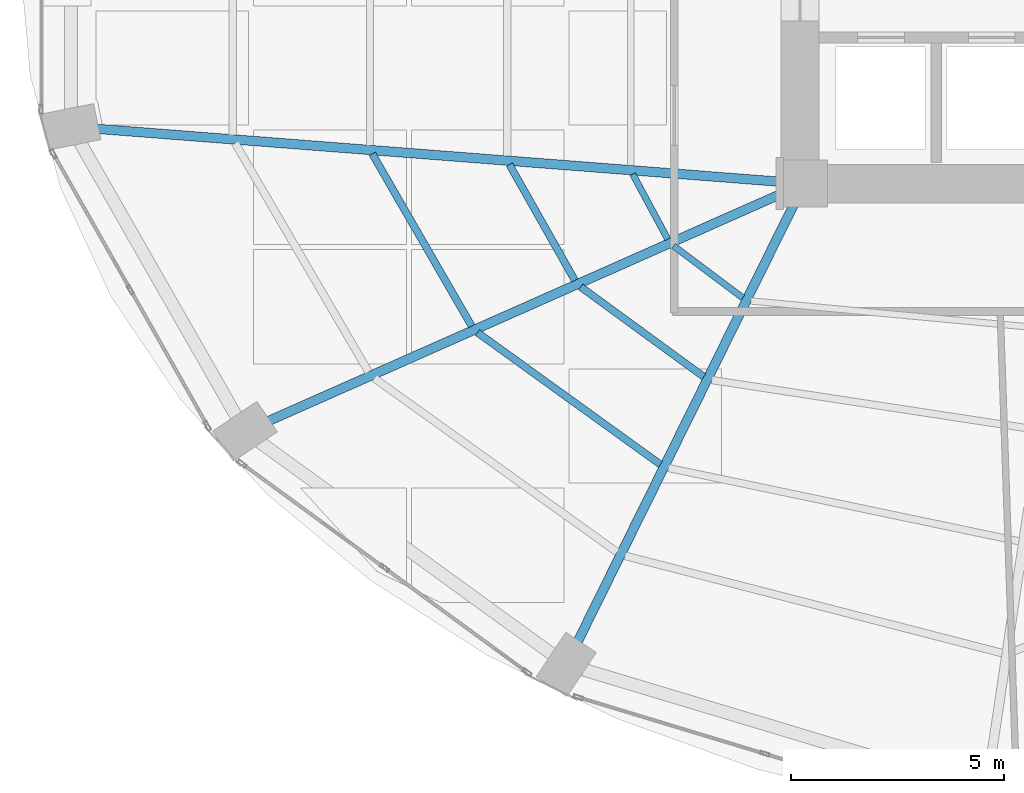
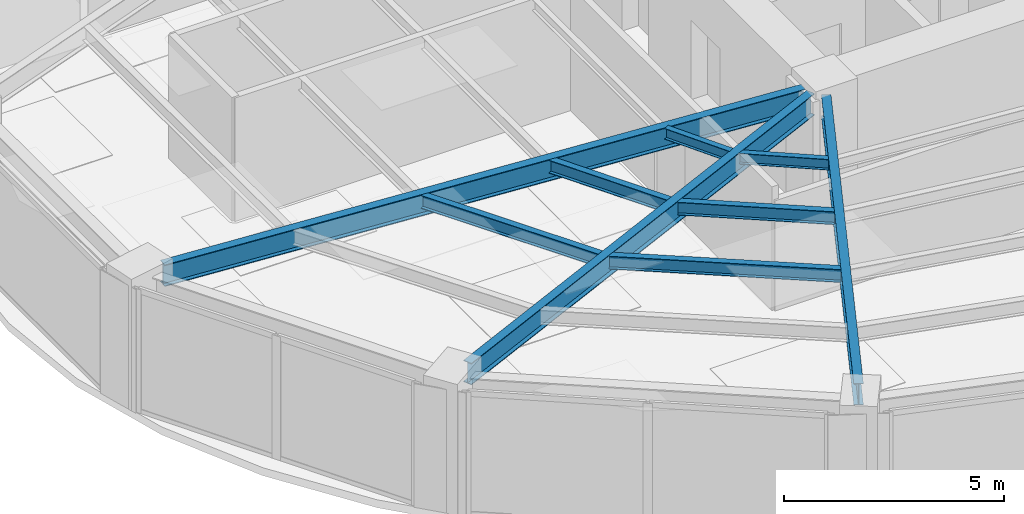
# One storey, part 4 of 25: 9 beams.
"""IFC4 building model written with IfcOpenShell, lengths in metres."""

from ifc_helpers import new_model, si_unit, direction, frame, origin, origin_2d, place, context, subcontext, project, spatial, i_section, extrude, material, material_profile, profile_set, type_object, element, save


model = new_model("IFC4")

# Units and contexts
model_context = context("Model", 3, precision=1e-05, world=origin(), true_north=direction((0.0, 1.0)))
body_context = subcontext(model_context, "Body", "Model", "MODEL_VIEW")
ifc_project = project(units=[si_unit("LENGTHUNIT", "METRE"), si_unit("AREAUNIT", "SQUARE_METRE"), si_unit("VOLUMEUNIT", "CUBIC_METRE"), si_unit("PLANEANGLEUNIT", "RADIAN"), si_unit("MASSUNIT", "GRAM", prefix="KILO")], contexts=[model_context])

# Site, building, storey
site_placement = place(None, origin())
site = spatial("IfcSite", under=ifc_project, at=site_placement, CompositionType="ELEMENT")
building_placement = place(site_placement, origin())
building = spatial("IfcBuilding", under=site, at=building_placement, Name="Lazwardi Medical Tower", CompositionType="ELEMENT")
storey_placement = place(building_placement, frame((0.0, 0.0, 47.087890625)))
storey = spatial("IfcBuildingStorey", under=building, at=storey_placement, Name="L11", CompositionType="ELEMENT", Elevation=47.087890625)

# Beams
ifc_material = material(Name="Steel S355", Category="steel")
ifc_material_profile_1 = material_profile(ifc_material, i_section(OverallWidth=0.219970703125, OverallDepth=0.60009765625, WebThickness=0.011962890625, FlangeThickness=0.01904296875, at=origin_2d()), Name="IPE 600")
ifc_profile_set_1 = profile_set([ifc_material_profile_1], Name="Steel S355")
beam_type_1 = type_object("IfcBeamType", Name="BM-RG-W1", PredefinedType="BEAM", material=ifc_profile_set_1)
beam_1_placement = place(storey_placement, frame((9.7783203125, 21.6875, 3.128173828125), z_axis=(0.997013942066, -0.077221754231, 0.0), x_axis=(0.077221754231, 0.997013942066, 0.0)))
element("IfcBeam", 1, at=beam_1_placement, inside=storey, type_object=beam_type_1, Name="Radial girder RG-02 R13 L11", PredefinedType="BEAM", context=body_context, shape_type="SweptSolid", body=[
    extrude(i_section(OverallWidth=0.219970703125, OverallDepth=0.60009765625, WebThickness=0.011962890625, FlangeThickness=0.01904296875, at=origin_2d()), origin(), (0.0, 0.0, 1.0), 16.136474609375),
])
beam_2_placement = place(storey_placement, frame((13.810302734375, 14.82080078125, 3.128173828125), z_axis=(0.914252189566, 0.405145571214, 0.0), x_axis=(-0.405145571214, 0.914252189566, 0.0)))
element("IfcBeam", 2, at=beam_2_placement, inside=storey, type_object=beam_type_1, Name="Radial girder RG-02 R14 L11", PredefinedType="BEAM", context=body_context, shape_type="SweptSolid", body=[
    extrude(i_section(OverallWidth=0.219970703125, OverallDepth=0.60009765625, WebThickness=0.011962890625, FlangeThickness=0.01904296875, at=origin_2d()), origin(), (0.0, 0.0, 1.0), 13.235595703125),
])
beam_3_placement = place(storey_placement, frame((21.076171875, 9.635986328125, 3.128173828125), z_axis=(0.443336723706, 0.896355146922, 0.0), x_axis=(-0.896355146922, 0.443336723706, 0.0)))
element("IfcBeam", 3, at=beam_3_placement, inside=storey, type_object=beam_type_1, Name="Radial girder RG-02 R15 L11", PredefinedType="BEAM", context=body_context, shape_type="SweptSolid", body=[
    extrude(i_section(OverallWidth=0.219970703125, OverallDepth=0.60009765625, WebThickness=0.011962890625, FlangeThickness=0.01904296875, at=origin_2d()), origin(), (0.0, 0.0, 1.0), 11.4736328125),
])
ifc_material_profile_2 = material_profile(ifc_material, i_section(OverallWidth=0.169921875, OverallDepth=0.360107421875, WebThickness=0.008056640625, FlangeThickness=0.0126953125, at=origin_2d()), Name="IPE 360")
ifc_profile_set_2 = profile_set([ifc_material_profile_2], Name="Steel S355")
beam_type_2 = type_object("IfcBeamType", Name="BM-SJ-02", PredefinedType="JOIST", material=ifc_profile_set_2)
beam_4_placement = place(storey_placement, frame((16.26611328125, 21.09814453125, 3.248046875), z_axis=(0.499785866494, -0.866148998529, 0.0), x_axis=(0.866148998529, 0.499785866494, 0.0)))
element("IfcBeam", 4, at=beam_4_placement, inside=storey, type_object=beam_type_2, Name="Secondary joist SJ-02 R2 B13 L11", PredefinedType="JOIST", context=body_context, shape_type="SweptSolid", body=[
    extrude(i_section(OverallWidth=0.169921875, OverallDepth=0.360107421875, WebThickness=0.008056640625, FlangeThickness=0.0126953125, at=origin_2d()), origin(), (0.0, 0.0, 1.0), 4.666015625),
])
beam_5_placement = place(storey_placement, frame((18.73583984375, 16.904296875, 3.248046875), z_axis=(0.811142764961, -0.584848198127, 0.0), x_axis=(0.584848198127, 0.811142764961, 0.0)))
element("IfcBeam", 5, at=beam_5_placement, inside=storey, type_object=beam_type_2, Name="Secondary joist SJ-02 R2 B14 L11", PredefinedType="JOIST", context=body_context, shape_type="SweptSolid", body=[
    extrude(i_section(OverallWidth=0.169921875, OverallDepth=0.360107421875, WebThickness=0.008056640625, FlangeThickness=0.0126953125, at=origin_2d()), origin(), (0.0, 0.0, 1.0), 5.28857421875),
])
beam_6_placement = place(storey_placement, frame((19.48291015625, 20.848388671875, 3.248046875), z_axis=(0.491923287977, -0.870638546554, 0.0), x_axis=(0.870638546554, 0.491923287977, 0.0)))
element("IfcBeam", 6, at=beam_6_placement, inside=storey, type_object=beam_type_2, Name="Secondary joist SJ-02 R3 B13 L11", PredefinedType="JOIST", context=body_context, shape_type="SweptSolid", body=[
    extrude(i_section(OverallWidth=0.169921875, OverallDepth=0.360107421875, WebThickness=0.008056640625, FlangeThickness=0.0126953125, at=origin_2d()), origin(), (0.0, 0.0, 1.0), 3.122802734375),
])
beam_7_placement = place(storey_placement, frame((21.155517578125, 17.976318359375, 3.248046875), z_axis=(0.80770129933, -0.589591902132, 0.0), x_axis=(0.589591902132, 0.80770129933, 0.0)))
element("IfcBeam", 7, at=beam_7_placement, inside=storey, type_object=beam_type_2, Name="Secondary joist SJ-02 R3 B14 L11", PredefinedType="JOIST", context=body_context, shape_type="SweptSolid", body=[
    extrude(i_section(OverallWidth=0.169921875, OverallDepth=0.360107421875, WebThickness=0.008056640625, FlangeThickness=0.0126953125, at=origin_2d()), origin(), (0.0, 0.0, 1.0), 3.5751953125),
])
ifc_material_profile_3 = material_profile(ifc_material, i_section(OverallWidth=0.14990234375, OverallDepth=0.300048828125, WebThickness=0.007080078125, FlangeThickness=0.0107421875, at=origin_2d()), Name="IPE 300")
ifc_profile_set_3 = profile_set([ifc_material_profile_3], Name="Steel S355")
beam_type_3 = type_object("IfcBeamType", Name="BM-SJ-03", PredefinedType="JOIST", material=ifc_profile_set_3)
beam_8_placement = place(storey_placement, frame((22.376953125, 20.623046875, 3.278076171875), z_axis=(0.473982292828, -0.880534375301, 0.0), x_axis=(0.880534375301, 0.473982292828, 0.0)))
element("IfcBeam", 8, at=beam_8_placement, inside=storey, type_object=beam_type_3, Name="Secondary joist SJ-03 R4 B13 L11", PredefinedType="JOIST", context=body_context, shape_type="SweptSolid", body=[
    extrude(i_section(OverallWidth=0.14990234375, OverallDepth=0.300048828125, WebThickness=0.007080078125, FlangeThickness=0.0107421875, at=origin_2d()), origin(), (0.0, 0.0, 1.0), 1.734375),
])
beam_9_placement = place(storey_placement, frame((23.332763671875, 18.9404296875, 3.278076171875), z_axis=(0.800115247939, -0.599846305328, 0.0), x_axis=(0.599846305328, 0.800115247939, 0.0)))
element("IfcBeam", 9, at=beam_9_placement, inside=storey, type_object=beam_type_3, Name="Secondary joist SJ-03 R4 B14 L11", PredefinedType="JOIST", context=body_context, shape_type="SweptSolid", body=[
    extrude(i_section(OverallWidth=0.14990234375, OverallDepth=0.300048828125, WebThickness=0.007080078125, FlangeThickness=0.0107421875, at=origin_2d()), origin(), (0.0, 0.0, 1.0), 2.033447265625),
])

save(model, "model.ifc")
